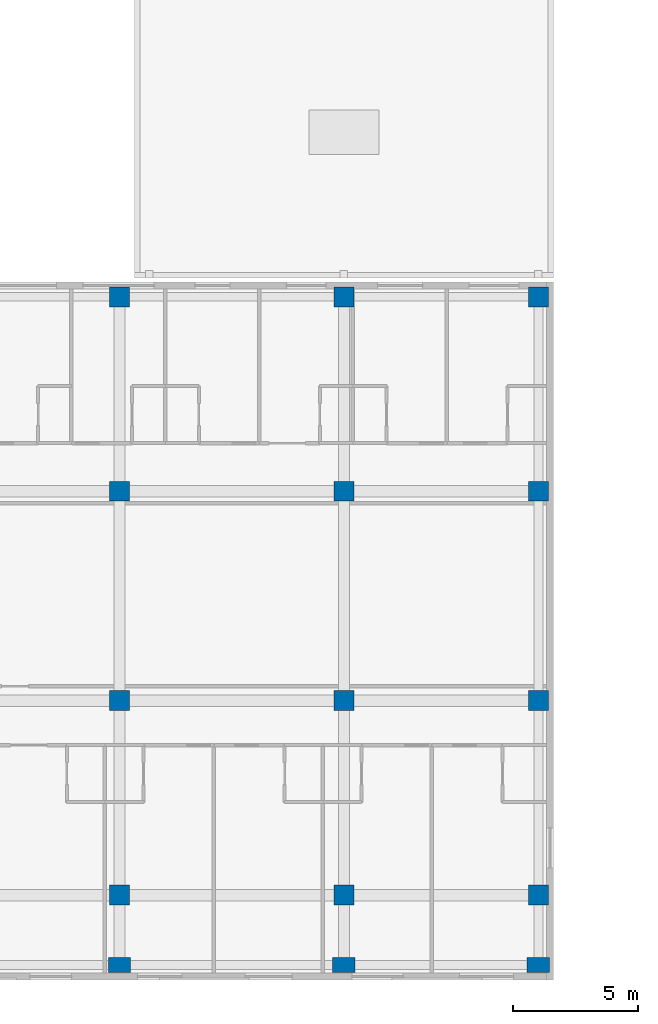
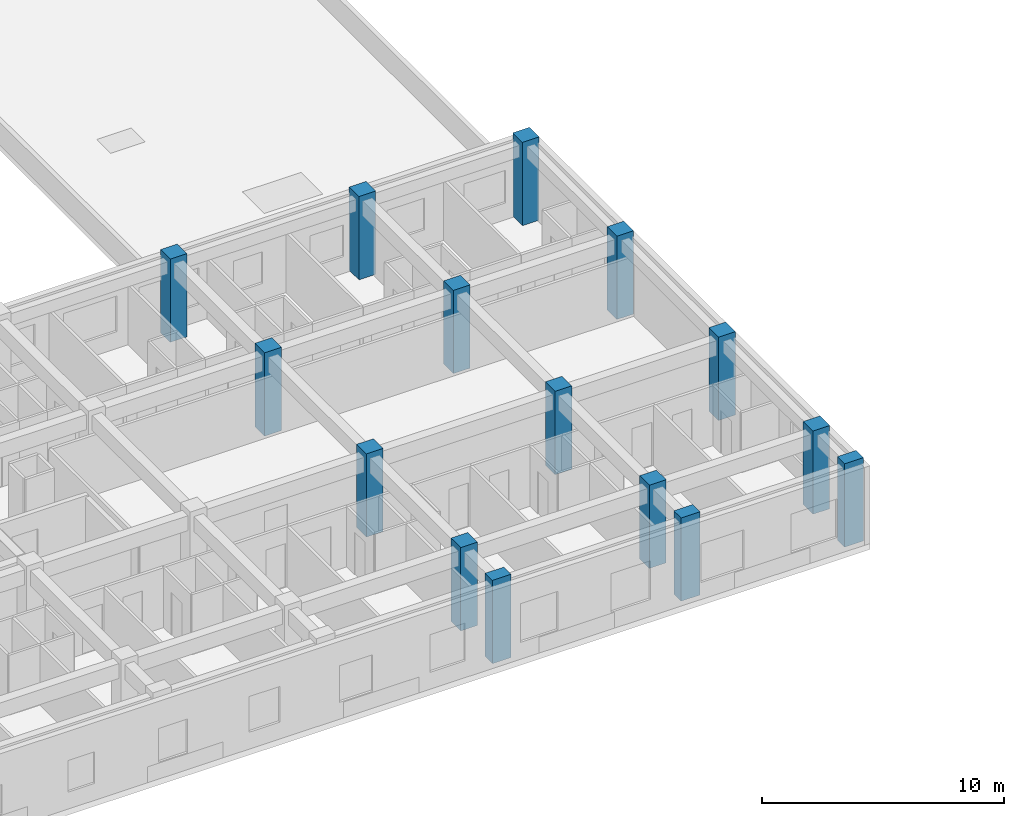
# One storey, part 4 of 127: 15 columns.
"""IFC4 building model written with IfcOpenShell, lengths in metres."""

from ifc_helpers import new_model, si_unit, direction, frame, origin, origin_2d, place, context, subcontext, project, spatial, rectangle, extrude, material, material_profile, profile_set, type_object, element, save


model = new_model("IFC4")

# Units and contexts
model_context = context("Model", 3, precision=1e-05, world=origin(), true_north=direction((0.0, 1.0)))
body_context = subcontext(model_context, "Body", "Model", "MODEL_VIEW")
ifc_project = project(units=[si_unit("LENGTHUNIT", "METRE"), si_unit("AREAUNIT", "SQUARE_METRE"), si_unit("VOLUMEUNIT", "CUBIC_METRE"), si_unit("PLANEANGLEUNIT", "RADIAN"), si_unit("MASSUNIT", "GRAM", prefix="KILO")], contexts=[model_context])

# Site, building, storey
site_placement = place(None, origin())
site = spatial("IfcSite", under=ifc_project, at=site_placement, CompositionType="ELEMENT")
building_placement = place(site_placement, origin())
building = spatial("IfcBuilding", under=site, at=building_placement, Name="Zayran Congress Hotel", CompositionType="ELEMENT")
storey_placement = place(building_placement, frame((0.0, 0.0, 10.800048828125)))
storey = spatial("IfcBuildingStorey", under=building, at=storey_placement, Name="L02", CompositionType="ELEMENT", Elevation=10.800048828125)

# Columns
ifc_material = material(Name="Concrete C40/50", Category="concrete")
ifc_material_profile_1 = material_profile(ifc_material, rectangle(XDim=0.800048828125, YDim=0.800048828125, at=origin_2d()), Name="RC 800x800")
ifc_profile_set_1 = profile_set([ifc_material_profile_1], Name="Concrete C40/50")
column_type_1 = type_object("IfcColumnType", Name="TP-CL-02", PredefinedType="COLUMN", material=ifc_profile_set_1)
for number, where, z_axis, x_axis, name in (
    (1, (75.0, 9.39990234375, 0.0), (0.0, 0.0, 1.0), (1.0, 0.0, 0.0), "COL-V5-L02-1028"),
    (2, (75.0, 17.199951171875, 0.0), (0.0, 0.0, 1.0), (1.0, 0.0, 0.0), "COL-V5-L02-1029"),
    (3, (75.0, 25.60009765625, 0.0), (0.0, 0.0, 1.0), (1.0, 0.0, 0.0), "COL-V5-L02-1030"),
    (4, (75.0, 33.39990234375, 0.0), (0.0, 0.0, 1.0), (1.0, 0.0, 0.0), "COL-V5-L02-1031"),
    (5, (84.0, 9.39990234375, 0.0), (0.0, 0.0, 1.0), (1.0, 0.0, 0.0), "COL-V5-L02-1033"),
    (6, (84.0, 17.199951171875, 0.0), (0.0, 0.0, 1.0), (1.0, 0.0, 0.0), "COL-V5-L02-1034"),
    (7, (84.0, 25.60009765625, 0.0), (0.0, 0.0, 1.0), (1.0, 0.0, 0.0), "COL-V5-L02-1035"),
    (8, (84.0, 33.39990234375, 0.0), (0.0, 0.0, 1.0), (1.0, 0.0, 0.0), "COL-V5-L02-1036"),
    (9, (91.800048828125, 9.39990234375, 0.0), (0.0, 0.0, 1.0), (1.0, 0.0, 0.0), "COL-V5-L02-1038"),
    (10, (91.800048828125, 17.199951171875, 0.0), (0.0, 0.0, 1.0), (1.0, 0.0, 0.0), "COL-V5-L02-1039"),
    (11, (91.800048828125, 25.60009765625, 0.0), (0.0, 0.0, 1.0), (1.0, 0.0, 0.0), "COL-V5-L02-1040"),
    (12, (91.800048828125, 33.39990234375, 0.0), (0.0, 0.0, 1.0), (1.0, 0.0, 0.0), "COL-V5-L02-1041"),
):
    element("IfcColumn", number, at=place(storey_placement, frame(where, z_axis=z_axis, x_axis=x_axis)), inside=storey, type_object=column_type_1, Name=name, PredefinedType="COLUMN", context=body_context, shape_type="SweptSolid", body=[
        extrude(rectangle(XDim=0.800048828125, YDim=0.800048828125, at=origin_2d()), origin(), (0.0, 0.0, 1.0), 4.199951171875),
    ])
ifc_material_profile_2 = material_profile(ifc_material, rectangle(XDim=0.60009765625, YDim=0.89990234375, at=origin_2d()), Name="RC 900x600")
ifc_profile_set_2 = profile_set([ifc_material_profile_2], Name="Concrete C40/50")
column_type_2 = type_object("IfcColumnType", Name="TP-CL-05", PredefinedType="COLUMN", material=ifc_profile_set_2)
for number, where, z_axis, x_axis, name in (
    (13, (75.0, 6.60009765625, 0.0), (0.0, 0.0, 1.0), (0.0, 1.0, 0.0), "COL-V5-L02-1027"),
    (14, (84.0, 6.60009765625, 0.0), (0.0, 0.0, 1.0), (0.0, 1.0, 0.0), "COL-V5-L02-1032"),
    (15, (91.800048828125, 6.60009765625, 0.0), (0.0, 0.0, 1.0), (0.0, 1.0, 0.0), "COL-V5-L02-1037"),
):
    element("IfcColumn", number, at=place(storey_placement, frame(where, z_axis=z_axis, x_axis=x_axis)), inside=storey, type_object=column_type_2, Name=name, PredefinedType="COLUMN", context=body_context, shape_type="SweptSolid", body=[
        extrude(rectangle(XDim=0.60009765625, YDim=0.89990234375, at=origin_2d()), origin(), (0.0, 0.0, 1.0), 4.199951171875),
    ])

save(model, "model.ifc")
